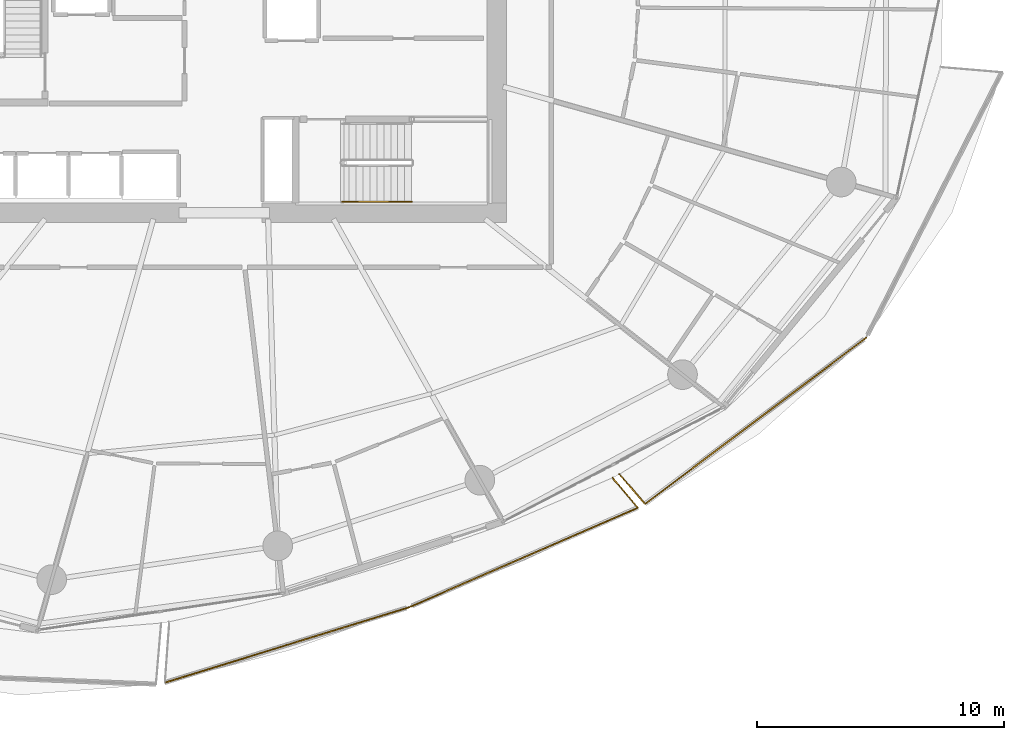
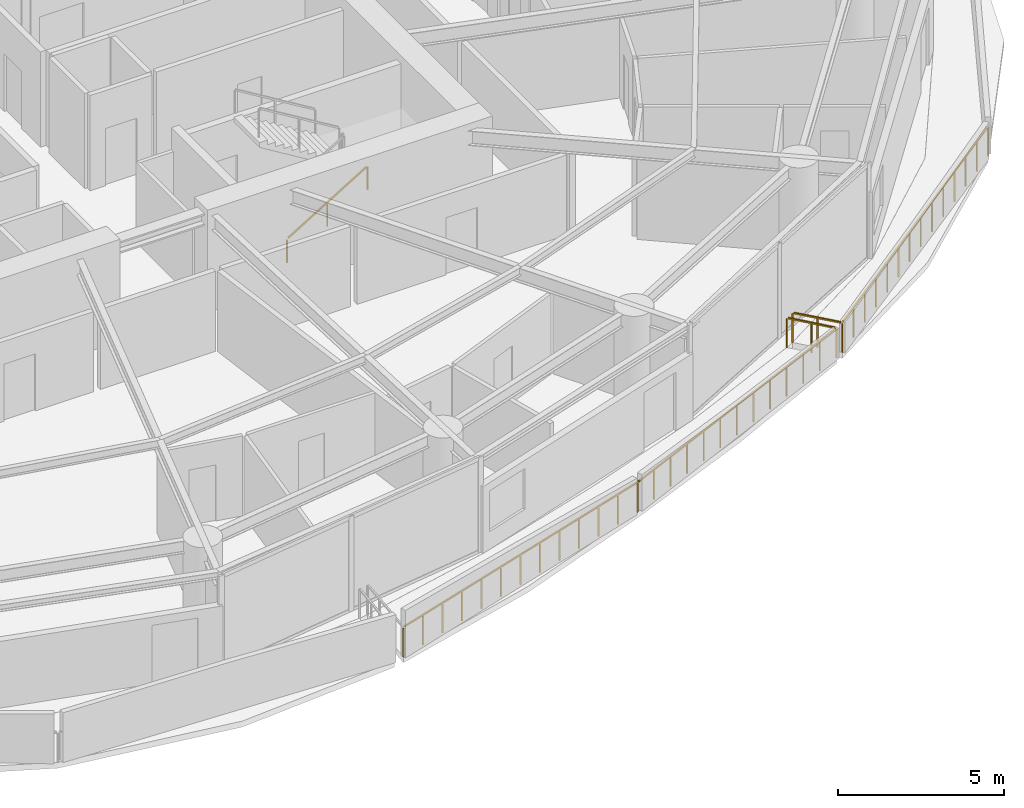
# One storey, part 19 of 23: 6 railings.
"""IFC4 building model written with IfcOpenShell, lengths in metres."""

import ifcopenshell
import ifcopenshell.guid

model = None  # the IFC model being written
_history = None  # IfcOwnerHistory: only IFC2X3 demands one
_inside = {}  # id of a spatial element -> (the spatial element, [elements in it])
_under = {}  # id of a project, library or spatial element -> (it, [spatial elements below it])
_declared = {}  # id of a project -> (the project, [libraries it declares])
_typed = {}  # id of a type object -> (the type object, [elements of that type])
_made_of = {}  # id of a material, layer set ... -> (it, [elements and type objects made of it])


def new_model(schema):
    """Start an empty IFC model of exactly this schema.

    Asked for "IFC4X3", IfcOpenShell would pick the latest addendum, in which some entities
    have other attributes; the version numbers below select the first issue.
    IFC2X3 requires an IfcOwnerHistory on every rooted entity: one is made here for all.
    """
    global model, _history
    if schema == "IFC4X3":
        model = ifcopenshell.file(schema_version=(4, 3, 0, 0))
    else:
        model = ifcopenshell.file(schema=schema)
    _inside.clear()
    _under.clear()
    _declared.clear()
    _typed.clear()
    _made_of.clear()
    _history = None
    if model.schema == "IFC2X3":
        org = make("IfcOrganization", Name="unknown")
        user = make(
            "IfcPersonAndOrganization",
            ThePerson=make("IfcPerson", FamilyName="unknown"),
            TheOrganization=org,
        )
        app = make(
            "IfcApplication",
            ApplicationDeveloper=org,
            Version="unknown",
            ApplicationFullName="unknown",
            ApplicationIdentifier="unknown",
        )
        _history = make(
            "IfcOwnerHistory",
            OwningUser=user,
            OwningApplication=app,
            ChangeAction="ADDED",
            CreationDate=0,
        )
    return model


def make(cls, **values):
    """One entity of the class cls with the attributes given. An attribute that is None is left unset."""
    return model.create_entity(
        cls, **{name: value for name, value in values.items() if value is not None}
    )


def rooted(cls, **values):
    """An entity with a GlobalId (a new one), such as an element, a storey or a relation."""
    return make(cls, GlobalId=ifcopenshell.guid.new(), OwnerHistory=_history, **values)


def si_unit(unit_type, name, prefix=None):
    """IfcSIUnit, for example si_unit("LENGTHUNIT", "METRE", prefix="MILLI")."""
    return make("IfcSIUnit", UnitType=unit_type, Prefix=prefix, Name=name)


def assignment(units):
    """IfcUnitAssignment: the units of a project."""
    return None if units is None else make("IfcUnitAssignment", Units=units)


def point(xyz):
    """IfcCartesianPoint."""
    return None if xyz is None else make("IfcCartesianPoint", Coordinates=xyz)


def direction(xyz):
    """IfcDirection."""
    return None if xyz is None else make("IfcDirection", DirectionRatios=xyz)


def frame(location, z_axis=None, x_axis=None):
    """IfcAxis2Placement3D, a coordinate frame: its origin and axes. An axis left out is left unset."""
    return make(
        "IfcAxis2Placement3D",
        Location=point(location),
        Axis=direction(z_axis),
        RefDirection=direction(x_axis),
    )


def frame_2d(location, x_axis=None):
    """IfcAxis2Placement2D, a coordinate frame in the plane: its origin and x axis."""
    return make(
        "IfcAxis2Placement2D", Location=point(location), RefDirection=direction(x_axis)
    )


def origin():
    """The frame at (0, 0, 0) with its axes left unset."""
    return frame((0.0, 0.0, 0.0))


def origin_2d():
    """The frame at (0, 0) in the plane with its x axis left unset."""
    return frame_2d((0.0, 0.0))


def place(relative_to, where):
    """IfcLocalPlacement: puts the frame where relative to a parent placement (None: the world)."""
    return make(
        "IfcLocalPlacement", PlacementRelTo=relative_to, RelativePlacement=where
    )


def context(
    kind, dimensions, precision=None, world=None, true_north=None, identifier=None
):
    """IfcGeometricRepresentationContext, for example the 3D "Model" context."""
    return make(
        "IfcGeometricRepresentationContext",
        ContextIdentifier=identifier,
        ContextType=kind,
        CoordinateSpaceDimension=dimensions,
        Precision=precision,
        WorldCoordinateSystem=world,
        TrueNorth=true_north,
    )


def subcontext(parent, identifier, kind, view, scale=None):
    """IfcGeometricRepresentationSubContext, for example "Body" below "Model"."""
    return make(
        "IfcGeometricRepresentationSubContext",
        ContextIdentifier=identifier,
        ContextType=kind,
        ParentContext=parent,
        TargetScale=scale,
        TargetView=view,
    )


def project(units=None, contexts=None):
    """IfcProject with its units and contexts."""
    return rooted(
        "IfcProject",
        Name="project",
        RepresentationContexts=contexts,
        UnitsInContext=assignment(units),
    )


def spatial(cls, under=None, at=None, **own):
    """A site, building, storey or space (cls), placed at a placement, below another one or the project."""
    s = rooted(cls, ObjectPlacement=at, **own)
    if under is not None:
        _under.setdefault(under.id(), (under, []))[1].append(s)
    return s


def profile(cls, at=None, kind="AREA", **sizes):
    """A parametric profile (cls). Its sizes go by their IFC names, for example OverallWidth=200.0."""
    return make(cls, ProfileType=kind, Position=at, **sizes)


def rectangle(**sizes):
    """IfcRectangleProfileDef."""
    return profile("IfcRectangleProfileDef", **sizes)


def extrude(swept, where, along, depth):
    """IfcExtrudedAreaSolid: the profile swept, set in the frame where, extruded along a direction by depth."""
    return make(
        "IfcExtrudedAreaSolid",
        SweptArea=swept,
        Position=where,
        ExtrudedDirection=direction(along),
        Depth=depth,
    )


def shape(context_of_items, identifier, shape_type, items):
    """IfcShapeRepresentation: the items that make up one representation, for example the "Body"."""
    return make(
        "IfcShapeRepresentation",
        ContextOfItems=context_of_items,
        RepresentationIdentifier=identifier,
        RepresentationType=shape_type,
        Items=items,
    )


def material(Name=None, Category=None):
    """IfcMaterial."""
    return make("IfcMaterial", Name=Name, Category=Category)


def made_of(thing, what):
    """Note that an element or type object is made of a material, layer set ...; save() writes the relation."""
    if what is not None:
        _made_of.setdefault(what.id(), (what, []))[1].append(thing)
    return thing


def type_object(cls, material=None, **own):
    """A type object (cls), such as IfcWallType, which elements share."""
    return made_of(rooted(cls, **own), material)


def element(
    cls,
    number,
    at=None,
    inside=None,
    cuts=None,
    type_object=None,
    material=None,
    context=None,
    identifier="Body",
    shape_type=None,
    held_by="IfcProductDefinitionShape",
    body=None,
    shapes=None,
    **own,
):
    """One element of the class cls, such as IfcWall. Its Tag is "e" and its number.

    at: its placement. inside: the storey or other place that contains it. cuts: it is an
    opening in that element (IfcRelVoidsElement). A single representation is given by context,
    identifier, shape_type and body (its items); several are given by shapes. held_by: the class
    of the entity that holds the representations. save() writes the other relations.
    """
    e = rooted(cls, Tag="e%d" % number, ObjectPlacement=at, **own)
    if body is not None:
        shapes = [shape(context, identifier, shape_type, body)]
    if shapes is not None:
        e.Representation = make(held_by, Representations=shapes)
    if inside is not None:
        _inside.setdefault(inside.id(), (inside, []))[1].append(e)
    if cuts is not None:
        rooted(
            "IfcRelVoidsElement", RelatingBuildingElement=cuts, RelatedOpeningElement=e
        )
    if type_object is not None:
        _typed.setdefault(type_object.id(), (type_object, []))[1].append(e)
    return made_of(e, material)


def aggregate(whole, parts):
    """IfcRelAggregates: a whole, such as a stair, and the parts it consists of."""
    return rooted("IfcRelAggregates", RelatingObject=whole, RelatedObjects=parts)


def save(model, path):
    """Write the relations noted so far, then the file.

    IfcRelAggregates (storeys below a building ...), IfcRelContainedInSpatialStructure (elements
    in a storey), IfcRelDefinesByType, IfcRelAssociatesMaterial and IfcRelDeclares: one each for
    every whole, place, type object, material and project.
    """
    for whole, parts in _under.values():
        aggregate(whole, parts)
    for where, things in _inside.values():
        rooted(
            "IfcRelContainedInSpatialStructure",
            RelatedElements=things,
            RelatingStructure=where,
        )
    for kind, things in _typed.values():
        rooted("IfcRelDefinesByType", RelatedObjects=things, RelatingType=kind)
    for what, things in _made_of.values():
        rooted("IfcRelAssociatesMaterial", RelatedObjects=things, RelatingMaterial=what)
    for by, libraries in _declared.values():
        rooted("IfcRelDeclares", RelatingContext=by, RelatedDefinitions=libraries)
    model.write(path)


model = new_model("IFC4")

# Units and contexts
model_context = context("Model", 3, precision=1e-05, world=origin(), true_north=direction((0.0, 1.0)))
body_context = subcontext(model_context, "Body", "Model", "MODEL_VIEW")
ifc_project = project(units=[si_unit("LENGTHUNIT", "METRE"), si_unit("AREAUNIT", "SQUARE_METRE"), si_unit("VOLUMEUNIT", "CUBIC_METRE"), si_unit("PLANEANGLEUNIT", "RADIAN"), si_unit("MASSUNIT", "GRAM", prefix="KILO")], contexts=[model_context])

# Site, building, storey
site_placement = place(None, origin())
site = spatial("IfcSite", under=ifc_project, at=site_placement, CompositionType="ELEMENT")
building_placement = place(site_placement, origin())
building = spatial("IfcBuilding", under=site, at=building_placement, Name="Kazma Halo Residences", CompositionType="ELEMENT")
storey_placement = place(building_placement, frame((0.0, 0.0, 82.64990234375)))
storey = spatial("IfcBuildingStorey", under=building, at=storey_placement, Name="L20", CompositionType="ELEMENT", Elevation=82.64990234375)

# Railings
ifc_material_1 = material(Name="Aluminium AW-6063 T6 Brushed Cap Rail", Category="aluminium")
railing_type_1 = type_object("IfcRailingType", Name="RLG-BAL-CAP-1120", PredefinedType="BALUSTRADE", material=ifc_material_1)
railing_1_placement = place(storey_placement, frame((46.011474609375, 14.594482421875, 0.0)))
element("IfcRailing", 1, at=railing_1_placement, inside=storey, type_object=railing_type_1, Name="L20 SSE wave balcony guard 2", PredefinedType="BALUSTRADE", context=body_context, shape_type="SweptSolid", body=[
    extrude(rectangle(XDim=0.050048828125, YDim=0.050048828125, at=origin_2d()), frame((0.040771484375, 0.012451171875, 1.09521484375), z_axis=(0.955530555563, 0.294892111434, 0.0), x_axis=(-0.294892111434, 0.955530555563, 0.0)), (0.0, 0.0, 1.0), 10.276123046875),
    extrude(rectangle(XDim=0.0400390625, YDim=0.0400390625, at=origin_2d()), origin(), (0.0, 0.0, 1.0), 1.05810546875),
    extrude(rectangle(XDim=0.0400390625, YDim=0.0400390625, at=origin_2d()), frame((0.824951171875, 0.254638671875, 0.0)), (0.0, 0.0, 1.0), 1.05810546875),
    extrude(rectangle(XDim=0.0400390625, YDim=0.0400390625, at=origin_2d()), frame((1.650146484375, 0.50927734375, 0.0)), (0.0, 0.0, 1.0), 1.05810546875),
    extrude(rectangle(XDim=0.0400390625, YDim=0.0400390625, at=origin_2d()), frame((2.47509765625, 0.763916015625, 0.0)), (0.0, 0.0, 1.0), 1.05810546875),
    extrude(rectangle(XDim=0.0400390625, YDim=0.0400390625, at=origin_2d()), frame((3.300048828125, 1.0185546875, 0.0)), (0.0, 0.0, 1.0), 1.05810546875),
    extrude(rectangle(XDim=0.0400390625, YDim=0.0400390625, at=origin_2d()), frame((4.125244140625, 1.273193359375, 0.0)), (0.0, 0.0, 1.0), 1.05810546875),
    extrude(rectangle(XDim=0.0400390625, YDim=0.0400390625, at=origin_2d()), frame((4.9501953125, 1.52783203125, 0.0)), (0.0, 0.0, 1.0), 1.05810546875),
    extrude(rectangle(XDim=0.0400390625, YDim=0.0400390625, at=origin_2d()), frame((5.775146484375, 1.7822265625, 0.0)), (0.0, 0.0, 1.0), 1.05810546875),
    extrude(rectangle(XDim=0.0400390625, YDim=0.0400390625, at=origin_2d()), frame((6.600341796875, 2.036865234375, 0.0)), (0.0, 0.0, 1.0), 1.05810546875),
    extrude(rectangle(XDim=0.0400390625, YDim=0.0400390625, at=origin_2d()), frame((7.42529296875, 2.29150390625, 0.0)), (0.0, 0.0, 1.0), 1.05810546875),
    extrude(rectangle(XDim=0.0400390625, YDim=0.0400390625, at=origin_2d()), frame((8.250244140625, 2.546142578125, 0.0)), (0.0, 0.0, 1.0), 1.05810546875),
    extrude(rectangle(XDim=0.0400390625, YDim=0.0400390625, at=origin_2d()), frame((9.075439453125, 2.80078125, 0.0)), (0.0, 0.0, 1.0), 1.05810546875),
    extrude(rectangle(XDim=0.0400390625, YDim=0.0400390625, at=origin_2d()), frame((9.900390625, 3.055419921875, 0.0)), (0.0, 0.0, 1.0), 1.05810546875),
])
railing_2_placement = place(storey_placement, frame((55.911865234375, 17.64990234375, 0.0)))
element("IfcRailing", 2, at=railing_2_placement, inside=storey, type_object=railing_type_1, Name="L20 SSE wave balcony guard 3", PredefinedType="BALUSTRADE", context=body_context, shape_type="SweptSolid", body=[
    extrude(rectangle(XDim=0.050048828125, YDim=0.050048828125, at=origin_2d()), frame((0.0390625, 0.01708984375, 1.09521484375), z_axis=(0.916909326495, 0.399095586279, 0.0), x_axis=(-0.399095586279, 0.916909326495, 0.0)), (0.0, 0.0, 1.0), 9.989501953125),
    extrude(rectangle(XDim=0.0400390625, YDim=0.0400390625, at=origin_2d()), origin(), (0.0, 0.0, 1.0), 1.05810546875),
    extrude(rectangle(XDim=0.0400390625, YDim=0.0400390625, at=origin_2d()), frame((0.769775390625, 0.3349609375, 0.0)), (0.0, 0.0, 1.0), 1.05810546875),
    extrude(rectangle(XDim=0.0400390625, YDim=0.0400390625, at=origin_2d()), frame((1.53955078125, 0.670166015625, 0.0)), (0.0, 0.0, 1.0), 1.05810546875),
    extrude(rectangle(XDim=0.0400390625, YDim=0.0400390625, at=origin_2d()), frame((2.309326171875, 1.005126953125, 0.0)), (0.0, 0.0, 1.0), 1.05810546875),
    extrude(rectangle(XDim=0.0400390625, YDim=0.0400390625, at=origin_2d()), frame((3.0791015625, 1.34033203125, 0.0)), (0.0, 0.0, 1.0), 1.05810546875),
    extrude(rectangle(XDim=0.0400390625, YDim=0.0400390625, at=origin_2d()), frame((3.848876953125, 1.67529296875, 0.0)), (0.0, 0.0, 1.0), 1.05810546875),
    extrude(rectangle(XDim=0.0400390625, YDim=0.0400390625, at=origin_2d()), frame((4.61865234375, 2.01025390625, 0.0)), (0.0, 0.0, 1.0), 1.05810546875),
    extrude(rectangle(XDim=0.0400390625, YDim=0.0400390625, at=origin_2d()), frame((5.388671875, 2.345458984375, 0.0)), (0.0, 0.0, 1.0), 1.05810546875),
    extrude(rectangle(XDim=0.0400390625, YDim=0.0400390625, at=origin_2d()), frame((6.158447265625, 2.680419921875, 0.0)), (0.0, 0.0, 1.0), 1.05810546875),
    extrude(rectangle(XDim=0.0400390625, YDim=0.0400390625, at=origin_2d()), frame((6.92822265625, 3.015625, 0.0)), (0.0, 0.0, 1.0), 1.05810546875),
    extrude(rectangle(XDim=0.0400390625, YDim=0.0400390625, at=origin_2d()), frame((7.697998046875, 3.3505859375, 0.0)), (0.0, 0.0, 1.0), 1.05810546875),
    extrude(rectangle(XDim=0.0400390625, YDim=0.0400390625, at=origin_2d()), frame((8.4677734375, 3.685791015625, 0.0)), (0.0, 0.0, 1.0), 1.05810546875),
    extrude(rectangle(XDim=0.0400390625, YDim=0.0400390625, at=origin_2d()), frame((9.237548828125, 4.020751953125, 0.0)), (0.0, 0.0, 1.0), 1.05810546875),
])
railing_3_placement = place(storey_placement, frame((65.1494140625, 21.670654296875, 0.0)))
element("IfcRailing", 3, at=railing_3_placement, inside=storey, type_object=railing_type_1, Name="L20 SSE wave balcony guard 4", PredefinedType="BALUSTRADE", context=body_context, shape_type="SweptSolid", body=[
    extrude(rectangle(XDim=0.050048828125, YDim=0.050048828125, at=origin_2d()), frame((-0.02734375, 0.032470703125, 1.09521484375), z_axis=(-0.644823146011, 0.764331806461, 0.0), x_axis=(-0.764331806461, -0.644823146011, 0.0)), (0.0, 0.0, 1.0), 1.500244140625),
    extrude(rectangle(XDim=0.0400390625, YDim=0.0400390625, at=origin_2d()), origin(), (0.0, 0.0, 1.0), 1.05810546875),
    extrude(rectangle(XDim=0.0400390625, YDim=0.0400390625, at=origin_2d()), frame((-0.51123046875, 0.60595703125, 0.0)), (0.0, 0.0, 1.0), 1.05810546875),
    extrude(rectangle(XDim=0.0400390625, YDim=0.0400390625, at=origin_2d()), frame((-1.022216796875, 1.211669921875, 0.0)), (0.0, 0.0, 1.0), 1.05810546875),
])
railing_4_placement = place(storey_placement, frame((64.40576171875, 23.027099609375, 0.0)))
element("IfcRailing", 4, at=railing_4_placement, inside=storey, type_object=railing_type_1, Name="L20 SE wave balcony guard 1", PredefinedType="BALUSTRADE", context=body_context, shape_type="SweptSolid", body=[
    extrude(rectangle(XDim=0.050048828125, YDim=0.050048828125, at=origin_2d()), frame((0.02783203125, -0.0322265625, 1.09521484375), z_axis=(0.654199420265, -0.75632209972, 0.0), x_axis=(0.75632209972, 0.654199420265, 0.0)), (0.0, 0.0, 1.0), 1.504638671875),
    extrude(rectangle(XDim=0.0400390625, YDim=0.0400390625, at=origin_2d()), origin(), (0.0, 0.0, 1.0), 1.05810546875),
    extrude(rectangle(XDim=0.0400390625, YDim=0.0400390625, at=origin_2d()), frame((0.52001953125, -0.60107421875, 0.0)), (0.0, 0.0, 1.0), 1.05810546875),
    extrude(rectangle(XDim=0.0400390625, YDim=0.0400390625, at=origin_2d()), frame((1.0400390625, -1.202392578125, 0.0)), (0.0, 0.0, 1.0), 1.05810546875),
])
railing_5_placement = place(storey_placement, frame((65.44580078125, 21.82470703125, 0.0)))
element("IfcRailing", 5, at=railing_5_placement, inside=storey, type_object=railing_type_1, Name="L20 SE wave balcony guard 2", PredefinedType="BALUSTRADE", context=body_context, shape_type="SweptSolid", body=[
    extrude(rectangle(XDim=0.050048828125, YDim=0.050048828125, at=origin_2d()), frame((0.033935546875, 0.025634765625, 1.09521484375), z_axis=(0.79938198296, 0.6008231398, 0.0), x_axis=(-0.6008231398, 0.79938198296, 0.0)), (0.0, 0.0, 1.0), 11.110107421875),
    extrude(rectangle(XDim=0.0400390625, YDim=0.0400390625, at=origin_2d()), origin(), (0.0, 0.0, 1.0), 1.05810546875),
    extrude(rectangle(XDim=0.0400390625, YDim=0.0400390625, at=origin_2d()), frame((0.6884765625, 0.517333984375, 0.0)), (0.0, 0.0, 1.0), 1.05810546875),
    extrude(rectangle(XDim=0.0400390625, YDim=0.0400390625, at=origin_2d()), frame((1.376708984375, 1.034912109375, 0.0)), (0.0, 0.0, 1.0), 1.05810546875),
    extrude(rectangle(XDim=0.0400390625, YDim=0.0400390625, at=origin_2d()), frame((2.065185546875, 1.55224609375, 0.0)), (0.0, 0.0, 1.0), 1.05810546875),
    extrude(rectangle(XDim=0.0400390625, YDim=0.0400390625, at=origin_2d()), frame((2.753662109375, 2.069580078125, 0.0)), (0.0, 0.0, 1.0), 1.05810546875),
    extrude(rectangle(XDim=0.0400390625, YDim=0.0400390625, at=origin_2d()), frame((3.44189453125, 2.587158203125, 0.0)), (0.0, 0.0, 1.0), 1.05810546875),
    extrude(rectangle(XDim=0.0400390625, YDim=0.0400390625, at=origin_2d()), frame((4.13037109375, 3.1044921875, 0.0)), (0.0, 0.0, 1.0), 1.05810546875),
    extrude(rectangle(XDim=0.0400390625, YDim=0.0400390625, at=origin_2d()), frame((4.81884765625, 3.621826171875, 0.0)), (0.0, 0.0, 1.0), 1.05810546875),
    extrude(rectangle(XDim=0.0400390625, YDim=0.0400390625, at=origin_2d()), frame((5.50732421875, 4.13916015625, 0.0)), (0.0, 0.0, 1.0), 1.05810546875),
    extrude(rectangle(XDim=0.0400390625, YDim=0.0400390625, at=origin_2d()), frame((6.195556640625, 4.65673828125, 0.0)), (0.0, 0.0, 1.0), 1.05810546875),
    extrude(rectangle(XDim=0.0400390625, YDim=0.0400390625, at=origin_2d()), frame((6.884033203125, 5.174072265625, 0.0)), (0.0, 0.0, 1.0), 1.05810546875),
    extrude(rectangle(XDim=0.0400390625, YDim=0.0400390625, at=origin_2d()), frame((7.572509765625, 5.69140625, 0.0)), (0.0, 0.0, 1.0), 1.05810546875),
    extrude(rectangle(XDim=0.0400390625, YDim=0.0400390625, at=origin_2d()), frame((8.2607421875, 6.208984375, 0.0)), (0.0, 0.0, 1.0), 1.05810546875),
    extrude(rectangle(XDim=0.0400390625, YDim=0.0400390625, at=origin_2d()), frame((8.94921875, 6.726318359375, 0.0)), (0.0, 0.0, 1.0), 1.05810546875),
])
ifc_material_2 = material(Name="Brushed Stainless Steel", Category="steel")
railing_type_2 = type_object("IfcRailingType", Name="RLG-STAIR-HND-900", PredefinedType="HANDRAIL", material=ifc_material_2)
railing_6_placement = place(storey_placement, frame((53.199951171875, 34.050048828125, 0.170654296875)))
element("IfcRailing", 6, at=railing_6_placement, inside=storey, type_object=railing_type_2, Name="L20 ST-03 stair handrail 1", PredefinedType="HANDRAIL", context=body_context, shape_type="SweptSolid", body=[
    extrude(rectangle(XDim=0.050048828125, YDim=0.050048828125, at=origin_2d()), frame((0.036376953125, 0.0, 0.89697265625), z_axis=(0.854202870247, 0.0, 0.519939858505), x_axis=(0.0, 1.0, 0.0)), (0.0, 0.0, 1.0), 3.19287109375),
    extrude(rectangle(XDim=0.0400390625, YDim=0.0400390625, at=origin_2d()), origin(), (0.0, 0.0, 1.0), 0.837890625),
    extrude(rectangle(XDim=0.0400390625, YDim=0.0400390625, at=origin_2d()), frame((1.39990234375, 0.0, 0.85205078125)), (0.0, 0.0, 1.0), 0.837890625),
    extrude(rectangle(XDim=0.0400390625, YDim=0.0400390625, at=origin_2d()), frame((2.800048828125, 0.0, 1.704345703125)), (0.0, 0.0, 1.0), 0.837890625),
])

save(model, "model.ifc")
